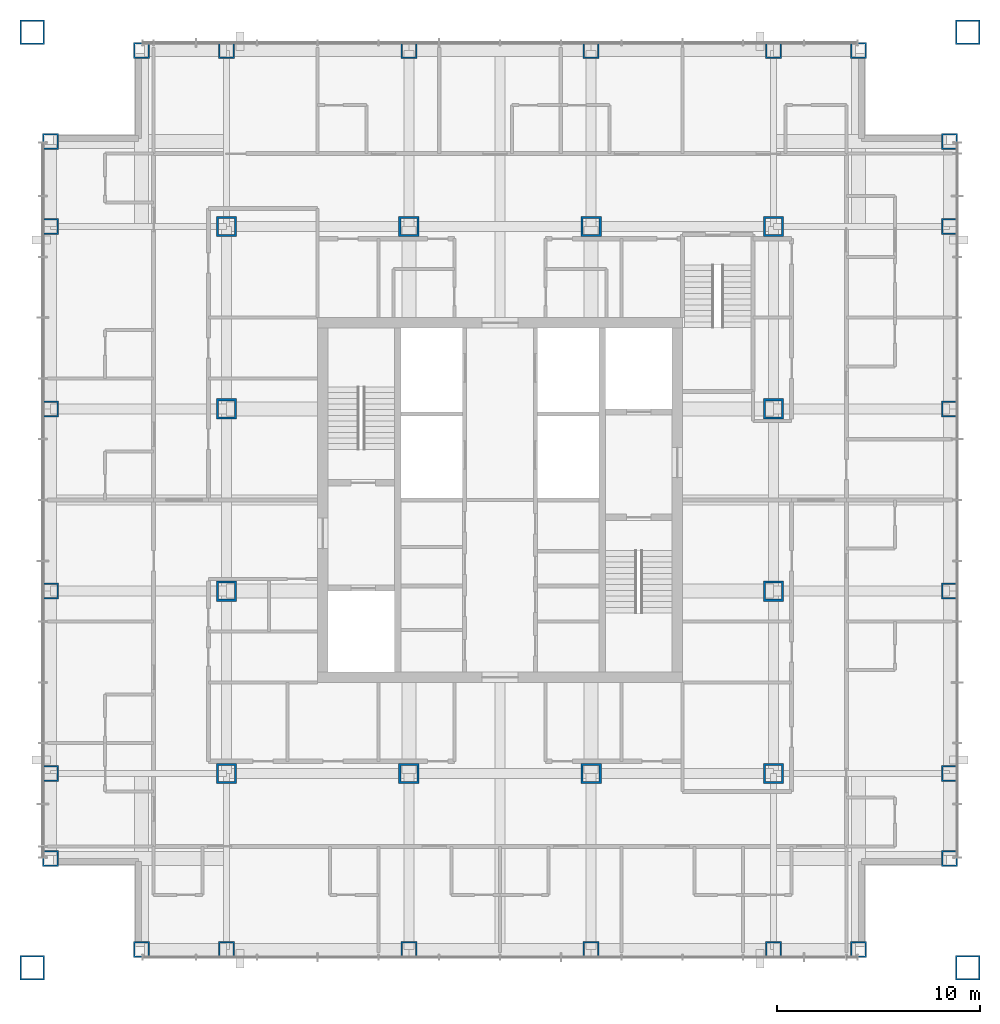
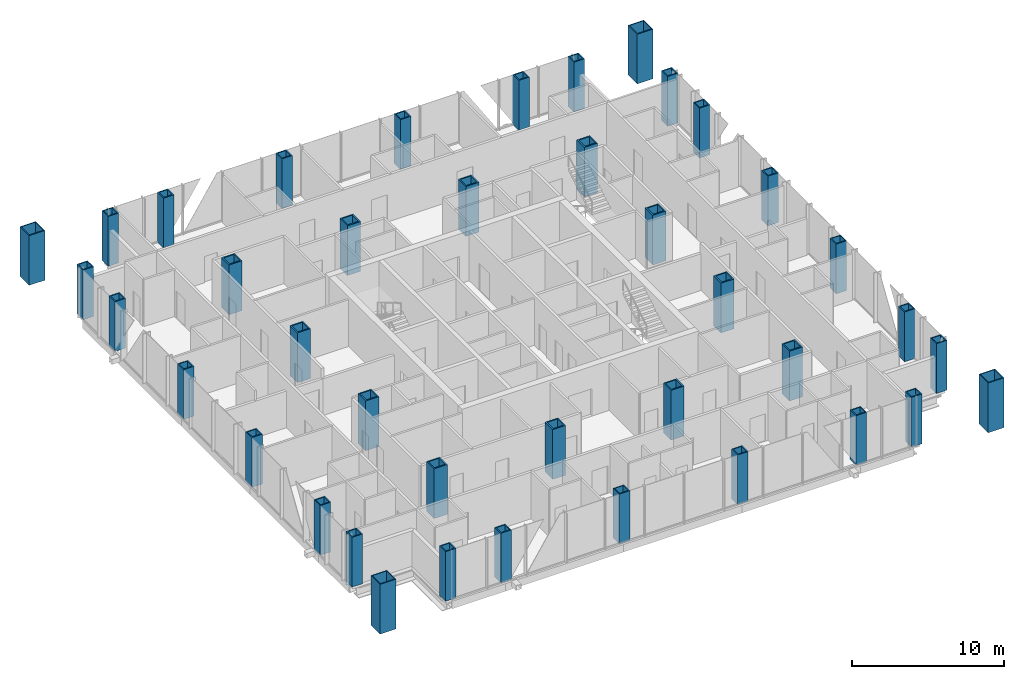
# One storey, part 1 of 18: 40 columns.
"""IFC4 building model written with IfcOpenShell, lengths in metres."""

from ifc_helpers import new_model, si_unit, direction, frame, origin, origin_2d, place, context, subcontext, project, spatial, hollow_rectangle, extrude, material, material_profile, profile_set, type_object, element, save


model = new_model("IFC4")

# Units and contexts
model_context = context("Model", 3, precision=1e-05, world=origin(), true_north=direction((0.0, 1.0)))
body_context = subcontext(model_context, "Body", "Model", "MODEL_VIEW")
ifc_project = project(units=[si_unit("LENGTHUNIT", "METRE"), si_unit("AREAUNIT", "SQUARE_METRE"), si_unit("VOLUMEUNIT", "CUBIC_METRE"), si_unit("PLANEANGLEUNIT", "RADIAN"), si_unit("MASSUNIT", "GRAM", prefix="KILO")], contexts=[model_context])

# Site, building, storey
site_placement = place(None, origin())
site = spatial("IfcSite", under=ifc_project, at=site_placement, CompositionType="ELEMENT")
building_placement = place(site_placement, origin())
building = spatial("IfcBuilding", under=site, at=building_placement, Name="Malebo Sky Hospital", CompositionType="ELEMENT")
storey_placement = place(building_placement, frame((0.0, 0.0, 225.0)))
storey = spatial("IfcBuildingStorey", under=building, at=storey_placement, Name="L54", CompositionType="ELEMENT", Elevation=225.0)

# Columns
ifc_material = material(Name="Steel S460", Category="steel")
ifc_material_profile_1 = material_profile(ifc_material, hollow_rectangle(XDim=1.0, YDim=1.0, WallThickness=0.10009765625, at=origin_2d()), Name="BOX 1000x1000x100")
ifc_profile_set_1 = profile_set([ifc_material_profile_1], Name="Steel S460")
column_type_1 = type_object("IfcColumnType", Name="INNER COLUMN BOX 1000x1000x100", PredefinedType="COLUMN", material=ifc_profile_set_1)
for number, where, z_axis, x_axis, name in (
    (1, (46.5, 48.5, 0.0), (0.0, 0.0, 1.0), (1.0, 0.0, 0.0), "Column IC9 L54"),
    (2, (73.5, 48.5, 0.0), (0.0, 0.0, 1.0), (1.0, 0.0, 0.0), "Column IC9 L54"),
    (3, (73.5, 75.5, 0.0), (0.0, 0.0, 1.0), (1.0, 0.0, 0.0), "Column IC9 L54"),
    (4, (46.5, 75.5, 0.0), (0.0, 0.0, 1.0), (1.0, 0.0, 0.0), "Column IC9 L54"),
    (5, (55.5, 48.5, 0.0), (0.0, 0.0, 1.0), (1.0, 0.0, 0.0), "Column IC9 L54"),
    (6, (64.5, 48.5, 0.0), (0.0, 0.0, 1.0), (1.0, 0.0, 0.0), "Column IC9 L54"),
    (7, (55.5, 75.5, 0.0), (0.0, 0.0, 1.0), (1.0, 0.0, 0.0), "Column IC9 L54"),
    (8, (64.5, 75.5, 0.0), (0.0, 0.0, 1.0), (1.0, 0.0, 0.0), "Column IC9 L54"),
    (9, (46.5, 57.5, 0.0), (0.0, 0.0, 1.0), (1.0, 0.0, 0.0), "Column IC9 L54"),
    (10, (46.5, 66.5, 0.0), (0.0, 0.0, 1.0), (1.0, 0.0, 0.0), "Column IC9 L54"),
    (11, (73.5, 57.5, 0.0), (0.0, 0.0, 1.0), (1.0, 0.0, 0.0), "Column IC9 L54"),
    (12, (73.5, 66.5, 0.0), (0.0, 0.0, 1.0), (1.0, 0.0, 0.0), "Column IC9 L54"),
):
    element("IfcColumn", number, at=place(storey_placement, frame(where, z_axis=z_axis, x_axis=x_axis)), inside=storey, type_object=column_type_1, Name=name, PredefinedType="COLUMN", context=body_context, shape_type="SweptSolid", body=[
        extrude(hollow_rectangle(XDim=1.0, YDim=1.0, WallThickness=0.10009765625, at=origin_2d()), origin(), (0.0, 0.0, 1.0), 4.0),
    ])
ifc_material_profile_2 = material_profile(ifc_material, hollow_rectangle(XDim=1.199951171875, YDim=1.199951171875, WallThickness=0.070068359375, at=origin_2d()), Name="BOX 1200x1200x70")
ifc_profile_set_2 = profile_set([ifc_material_profile_2], Name="Steel S460")
column_type_2 = type_object("IfcColumnType", Name="MEGA COLUMN BOX 1200x1200x70", PredefinedType="COLUMN", material=ifc_profile_set_2)
for number, where, z_axis, x_axis, name in (
    (13, (36.89990234375, 38.89990234375, 0.0), (0.0, 0.0, 1.0), (1.0, 0.0, 0.0), "Mega column SW L54"),
    (14, (83.10009765625, 38.89990234375, 0.0), (0.0, 0.0, 1.0), (1.0, 0.0, 0.0), "Mega column SE L54"),
    (15, (83.10009765625, 85.10009765625, 0.0), (0.0, 0.0, 1.0), (1.0, 0.0, 0.0), "Mega column NE L54"),
    (16, (36.89990234375, 85.10009765625, 0.0), (0.0, 0.0, 1.0), (1.0, 0.0, 0.0), "Mega column NW L54"),
):
    element("IfcColumn", number, at=place(storey_placement, frame(where, z_axis=z_axis, x_axis=x_axis)), inside=storey, type_object=column_type_2, Name=name, PredefinedType="COLUMN", context=body_context, shape_type="SweptSolid", body=[
        extrude(hollow_rectangle(XDim=1.199951171875, YDim=1.199951171875, WallThickness=0.070068359375, at=origin_2d()), origin(), (0.0, 0.0, 1.0), 4.0),
    ])
ifc_material_profile_3 = material_profile(ifc_material, hollow_rectangle(XDim=0.800048828125, YDim=0.800048828125, WallThickness=0.080078125, at=origin_2d()), Name="BOX 800x800x80")
ifc_profile_set_3 = profile_set([ifc_material_profile_3], Name="Steel S460")
column_type_3 = type_object("IfcColumnType", Name="PERIMETER COLUMN BOX 800x800x80", PredefinedType="COLUMN", material=ifc_profile_set_3)
for number, where, z_axis, x_axis, name in (
    (17, (42.300048828125, 39.800048828125, 0.0), (0.0, 0.0, 1.0), (1.0, 0.0, 0.0), "Column PC7 L54"),
    (18, (42.300048828125, 84.199951171875, 0.0), (0.0, 0.0, 1.0), (1.0, 0.0, 0.0), "Column PC7 L54"),
    (19, (37.800048828125, 44.300048828125, 0.0), (0.0, 0.0, 1.0), (1.0, 0.0, 0.0), "Column PC7 L54"),
    (20, (82.199951171875, 44.300048828125, 0.0), (0.0, 0.0, 1.0), (1.0, 0.0, 0.0), "Column PC7 L54"),
    (21, (46.5, 39.800048828125, 0.0), (0.0, 0.0, 1.0), (1.0, 0.0, 0.0), "Column PC7 L54"),
    (22, (46.5, 84.199951171875, 0.0), (0.0, 0.0, 1.0), (1.0, 0.0, 0.0), "Column PC7 L54"),
    (23, (37.800048828125, 48.5, 0.0), (0.0, 0.0, 1.0), (1.0, 0.0, 0.0), "Column PC7 L54"),
    (24, (82.199951171875, 48.5, 0.0), (0.0, 0.0, 1.0), (1.0, 0.0, 0.0), "Column PC7 L54"),
    (25, (55.5, 39.800048828125, 0.0), (0.0, 0.0, 1.0), (1.0, 0.0, 0.0), "Column PC7 L54"),
    (26, (55.5, 84.199951171875, 0.0), (0.0, 0.0, 1.0), (1.0, 0.0, 0.0), "Column PC7 L54"),
    (27, (37.800048828125, 57.5, 0.0), (0.0, 0.0, 1.0), (1.0, 0.0, 0.0), "Column PC7 L54"),
    (28, (82.199951171875, 57.5, 0.0), (0.0, 0.0, 1.0), (1.0, 0.0, 0.0), "Column PC7 L54"),
    (29, (64.5, 39.800048828125, 0.0), (0.0, 0.0, 1.0), (1.0, 0.0, 0.0), "Column PC7 L54"),
    (30, (64.5, 84.199951171875, 0.0), (0.0, 0.0, 1.0), (1.0, 0.0, 0.0), "Column PC7 L54"),
    (31, (37.800048828125, 66.5, 0.0), (0.0, 0.0, 1.0), (1.0, 0.0, 0.0), "Column PC7 L54"),
    (32, (82.199951171875, 66.5, 0.0), (0.0, 0.0, 1.0), (1.0, 0.0, 0.0), "Column PC7 L54"),
    (33, (73.5, 39.800048828125, 0.0), (0.0, 0.0, 1.0), (1.0, 0.0, 0.0), "Column PC7 L54"),
    (34, (73.5, 84.199951171875, 0.0), (0.0, 0.0, 1.0), (1.0, 0.0, 0.0), "Column PC7 L54"),
    (35, (37.800048828125, 75.5, 0.0), (0.0, 0.0, 1.0), (1.0, 0.0, 0.0), "Column PC7 L54"),
    (36, (82.199951171875, 75.5, 0.0), (0.0, 0.0, 1.0), (1.0, 0.0, 0.0), "Column PC7 L54"),
    (37, (77.699951171875, 39.800048828125, 0.0), (0.0, 0.0, 1.0), (1.0, 0.0, 0.0), "Column PC7 L54"),
    (38, (77.699951171875, 84.199951171875, 0.0), (0.0, 0.0, 1.0), (1.0, 0.0, 0.0), "Column PC7 L54"),
    (39, (37.800048828125, 79.699951171875, 0.0), (0.0, 0.0, 1.0), (1.0, 0.0, 0.0), "Column PC7 L54"),
    (40, (82.199951171875, 79.699951171875, 0.0), (0.0, 0.0, 1.0), (1.0, 0.0, 0.0), "Column PC7 L54"),
):
    element("IfcColumn", number, at=place(storey_placement, frame(where, z_axis=z_axis, x_axis=x_axis)), inside=storey, type_object=column_type_3, Name=name, PredefinedType="COLUMN", context=body_context, shape_type="SweptSolid", body=[
        extrude(hollow_rectangle(XDim=0.800048828125, YDim=0.800048828125, WallThickness=0.080078125, at=origin_2d()), origin(), (0.0, 0.0, 1.0), 4.0),
    ])

save(model, "model.ifc")
